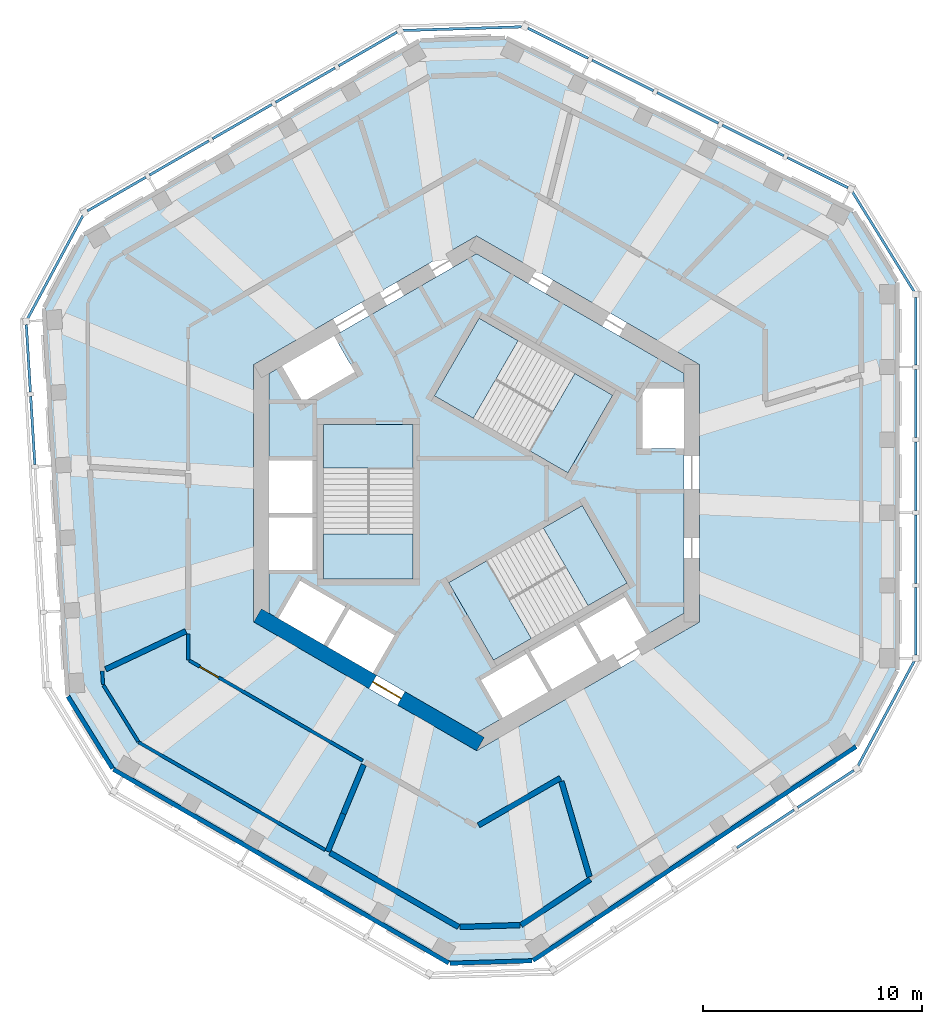
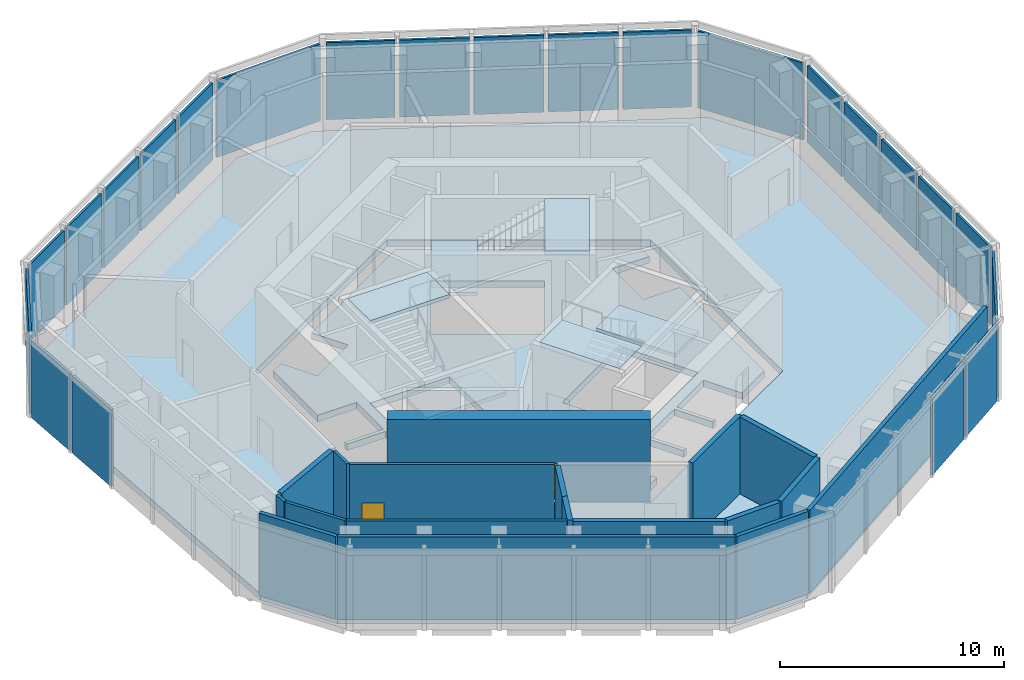
# One storey, part 3 of 9: 23 plates, 18 walls, 8 slabs, 2 doors, 2 openings, 12 elements without a shape of their own.
"""IFC4 building model written with IfcOpenShell, lengths in metres."""

import ifcopenshell
import ifcopenshell.guid

model = None  # the IFC model being written
_history = None  # IfcOwnerHistory: only IFC2X3 demands one
_inside = {}  # id of a spatial element -> (the spatial element, [elements in it])
_under = {}  # id of a project, library or spatial element -> (it, [spatial elements below it])
_declared = {}  # id of a project -> (the project, [libraries it declares])
_typed = {}  # id of a type object -> (the type object, [elements of that type])
_made_of = {}  # id of a material, layer set ... -> (it, [elements and type objects made of it])


def new_model(schema):
    """Start an empty IFC model of exactly this schema.

    Asked for "IFC4X3", IfcOpenShell would pick the latest addendum, in which some entities
    have other attributes; the version numbers below select the first issue.
    IFC2X3 requires an IfcOwnerHistory on every rooted entity: one is made here for all.
    """
    global model, _history
    if schema == "IFC4X3":
        model = ifcopenshell.file(schema_version=(4, 3, 0, 0))
    else:
        model = ifcopenshell.file(schema=schema)
    _inside.clear()
    _under.clear()
    _declared.clear()
    _typed.clear()
    _made_of.clear()
    _history = None
    if model.schema == "IFC2X3":
        org = make("IfcOrganization", Name="unknown")
        user = make(
            "IfcPersonAndOrganization",
            ThePerson=make("IfcPerson", FamilyName="unknown"),
            TheOrganization=org,
        )
        app = make(
            "IfcApplication",
            ApplicationDeveloper=org,
            Version="unknown",
            ApplicationFullName="unknown",
            ApplicationIdentifier="unknown",
        )
        _history = make(
            "IfcOwnerHistory",
            OwningUser=user,
            OwningApplication=app,
            ChangeAction="ADDED",
            CreationDate=0,
        )
    return model


def make(cls, **values):
    """One entity of the class cls with the attributes given. An attribute that is None is left unset."""
    return model.create_entity(
        cls, **{name: value for name, value in values.items() if value is not None}
    )


def rooted(cls, **values):
    """An entity with a GlobalId (a new one), such as an element, a storey or a relation."""
    return make(cls, GlobalId=ifcopenshell.guid.new(), OwnerHistory=_history, **values)


def si_unit(unit_type, name, prefix=None):
    """IfcSIUnit, for example si_unit("LENGTHUNIT", "METRE", prefix="MILLI")."""
    return make("IfcSIUnit", UnitType=unit_type, Prefix=prefix, Name=name)


def assignment(units):
    """IfcUnitAssignment: the units of a project."""
    return None if units is None else make("IfcUnitAssignment", Units=units)


def point(xyz):
    """IfcCartesianPoint."""
    return None if xyz is None else make("IfcCartesianPoint", Coordinates=xyz)


def direction(xyz):
    """IfcDirection."""
    return None if xyz is None else make("IfcDirection", DirectionRatios=xyz)


def frame(location, z_axis=None, x_axis=None):
    """IfcAxis2Placement3D, a coordinate frame: its origin and axes. An axis left out is left unset."""
    return make(
        "IfcAxis2Placement3D",
        Location=point(location),
        Axis=direction(z_axis),
        RefDirection=direction(x_axis),
    )


def frame_2d(location, x_axis=None):
    """IfcAxis2Placement2D, a coordinate frame in the plane: its origin and x axis."""
    return make(
        "IfcAxis2Placement2D", Location=point(location), RefDirection=direction(x_axis)
    )


def origin():
    """The frame at (0, 0, 0) with its axes left unset."""
    return frame((0.0, 0.0, 0.0))


def origin_2d():
    """The frame at (0, 0) in the plane with its x axis left unset."""
    return frame_2d((0.0, 0.0))


def place(relative_to, where):
    """IfcLocalPlacement: puts the frame where relative to a parent placement (None: the world)."""
    return make(
        "IfcLocalPlacement", PlacementRelTo=relative_to, RelativePlacement=where
    )


def context(
    kind, dimensions, precision=None, world=None, true_north=None, identifier=None
):
    """IfcGeometricRepresentationContext, for example the 3D "Model" context."""
    return make(
        "IfcGeometricRepresentationContext",
        ContextIdentifier=identifier,
        ContextType=kind,
        CoordinateSpaceDimension=dimensions,
        Precision=precision,
        WorldCoordinateSystem=world,
        TrueNorth=true_north,
    )


def subcontext(parent, identifier, kind, view, scale=None):
    """IfcGeometricRepresentationSubContext, for example "Body" below "Model"."""
    return make(
        "IfcGeometricRepresentationSubContext",
        ContextIdentifier=identifier,
        ContextType=kind,
        ParentContext=parent,
        TargetScale=scale,
        TargetView=view,
    )


def project(units=None, contexts=None):
    """IfcProject with its units and contexts."""
    return rooted(
        "IfcProject",
        Name="project",
        RepresentationContexts=contexts,
        UnitsInContext=assignment(units),
    )


def spatial(cls, under=None, at=None, **own):
    """A site, building, storey or space (cls), placed at a placement, below another one or the project."""
    s = rooted(cls, ObjectPlacement=at, **own)
    if under is not None:
        _under.setdefault(under.id(), (under, []))[1].append(s)
    return s


def polyline(points):
    """IfcPolyline through the points."""
    return make("IfcPolyline", Points=[point(p) for p in points])


def profile(cls, at=None, kind="AREA", **sizes):
    """A parametric profile (cls). Its sizes go by their IFC names, for example OverallWidth=200.0."""
    return make(cls, ProfileType=kind, Position=at, **sizes)


def rectangle(**sizes):
    """IfcRectangleProfileDef."""
    return profile("IfcRectangleProfileDef", **sizes)


def outline(outer, holes=None, kind="AREA"):
    """IfcArbitraryClosedProfileDef: a profile drawn as a closed curve; with holes, ...WithVoids."""
    if holes is None:
        return make("IfcArbitraryClosedProfileDef", ProfileType=kind, OuterCurve=outer)
    return make(
        "IfcArbitraryProfileDefWithVoids",
        ProfileType=kind,
        OuterCurve=outer,
        InnerCurves=holes,
    )


def extrude(swept, where, along, depth):
    """IfcExtrudedAreaSolid: the profile swept, set in the frame where, extruded along a direction by depth."""
    return make(
        "IfcExtrudedAreaSolid",
        SweptArea=swept,
        Position=where,
        ExtrudedDirection=direction(along),
        Depth=depth,
    )


def shape(context_of_items, identifier, shape_type, items):
    """IfcShapeRepresentation: the items that make up one representation, for example the "Body"."""
    return make(
        "IfcShapeRepresentation",
        ContextOfItems=context_of_items,
        RepresentationIdentifier=identifier,
        RepresentationType=shape_type,
        Items=items,
    )


def material(Name=None, Category=None):
    """IfcMaterial."""
    return make("IfcMaterial", Name=Name, Category=Category)


def layer(
    of_material, thickness, ventilated=None, Name=None, Category=None, Priority=None
):
    """IfcMaterialLayer: one layer of a wall or slab, of a material (None: an air gap)."""
    return make(
        "IfcMaterialLayer",
        Material=of_material,
        LayerThickness=thickness,
        IsVentilated=ventilated,
        Name=Name,
        Category=Category,
        Priority=Priority,
    )


def layer_set(layers, Name=None):
    """IfcMaterialLayerSet."""
    return make("IfcMaterialLayerSet", MaterialLayers=layers, LayerSetName=Name)


def made_of(thing, what):
    """Note that an element or type object is made of a material, layer set ...; save() writes the relation."""
    if what is not None:
        _made_of.setdefault(what.id(), (what, []))[1].append(thing)
    return thing


def type_object(cls, material=None, **own):
    """A type object (cls), such as IfcWallType, which elements share."""
    return made_of(rooted(cls, **own), material)


def element(
    cls,
    number,
    at=None,
    inside=None,
    cuts=None,
    type_object=None,
    material=None,
    context=None,
    identifier="Body",
    shape_type=None,
    held_by="IfcProductDefinitionShape",
    body=None,
    shapes=None,
    **own,
):
    """One element of the class cls, such as IfcWall. Its Tag is "e" and its number.

    at: its placement. inside: the storey or other place that contains it. cuts: it is an
    opening in that element (IfcRelVoidsElement). A single representation is given by context,
    identifier, shape_type and body (its items); several are given by shapes. held_by: the class
    of the entity that holds the representations. save() writes the other relations.
    """
    e = rooted(cls, Tag="e%d" % number, ObjectPlacement=at, **own)
    if body is not None:
        shapes = [shape(context, identifier, shape_type, body)]
    if shapes is not None:
        e.Representation = make(held_by, Representations=shapes)
    if inside is not None:
        _inside.setdefault(inside.id(), (inside, []))[1].append(e)
    if cuts is not None:
        rooted(
            "IfcRelVoidsElement", RelatingBuildingElement=cuts, RelatedOpeningElement=e
        )
    if type_object is not None:
        _typed.setdefault(type_object.id(), (type_object, []))[1].append(e)
    return made_of(e, material)


def fill(opening, filler):
    """IfcRelFillsElement: the door or window that sits in an opening."""
    return rooted(
        "IfcRelFillsElement",
        RelatingOpeningElement=opening,
        RelatedBuildingElement=filler,
    )


def aggregate(whole, parts):
    """IfcRelAggregates: a whole, such as a stair, and the parts it consists of."""
    return rooted("IfcRelAggregates", RelatingObject=whole, RelatedObjects=parts)


def save(model, path):
    """Write the relations noted so far, then the file.

    IfcRelAggregates (storeys below a building ...), IfcRelContainedInSpatialStructure (elements
    in a storey), IfcRelDefinesByType, IfcRelAssociatesMaterial and IfcRelDeclares: one each for
    every whole, place, type object, material and project.
    """
    for whole, parts in _under.values():
        aggregate(whole, parts)
    for where, things in _inside.values():
        rooted(
            "IfcRelContainedInSpatialStructure",
            RelatedElements=things,
            RelatingStructure=where,
        )
    for kind, things in _typed.values():
        rooted("IfcRelDefinesByType", RelatedObjects=things, RelatingType=kind)
    for what, things in _made_of.values():
        rooted("IfcRelAssociatesMaterial", RelatedObjects=things, RelatingMaterial=what)
    for by, libraries in _declared.values():
        rooted("IfcRelDeclares", RelatingContext=by, RelatedDefinitions=libraries)
    model.write(path)


model = new_model("IFC4")

# Units and contexts
model_context = context("Model", 3, precision=1e-05, world=origin(), true_north=direction((0.0, 1.0)))
body_context = subcontext(model_context, "Body", "Model", "MODEL_VIEW")
ifc_project = project(units=[si_unit("LENGTHUNIT", "METRE"), si_unit("AREAUNIT", "SQUARE_METRE"), si_unit("VOLUMEUNIT", "CUBIC_METRE"), si_unit("PLANEANGLEUNIT", "RADIAN"), si_unit("MASSUNIT", "GRAM", prefix="KILO")], contexts=[model_context])

# Site, building, storey
site_placement = place(None, origin())
site = spatial("IfcSite", under=ifc_project, at=site_placement, CompositionType="ELEMENT")
building_placement = place(site_placement, origin())
building = spatial("IfcBuilding", under=site, at=building_placement, Name="Vanh Sen Convention Tower", CompositionType="ELEMENT")
storey_placement = place(building_placement, frame((0.0, 0.0, 300.5)))
storey = spatial("IfcBuildingStorey", under=building, at=storey_placement, Name="L74", CompositionType="ELEMENT", Elevation=300.5)

# Slabs
ifc_material_1 = material(Name="Concrete C40/50", Category="concrete")
ifc_layer_1 = layer(ifc_material_1, 0.35009765625)
ifc_layer_set_1 = layer_set([ifc_layer_1], Name="Concrete C40/50")
slab_type_1 = type_object("IfcSlabType", Name="Core slab 350", PredefinedType="FLOOR", material=ifc_layer_set_1)
slab_1_placement = place(storey_placement, frame((0.0, 0.0, -0.35009765625)))
element("IfcSlab", 1, at=slab_1_placement, inside=storey, type_object=slab_type_1, Name="Core slab L74", PredefinedType="FLOOR", context=body_context, shape_type="SweptSolid", body=[
    extrude(outline(polyline([(0.0, 10.9697265625), (9.5, 5.48486328125), (9.5, 4.800048828125), (7.60009765625, 4.800048828125), (7.60009765625, 2.050048828125), (9.5, 2.050048828125), (9.5, -5.48486328125), (7.781005859375, -6.477294921875), (6.781005859375, -4.7451171875), (4.70263671875, -5.9453125), (5.70263671875, -7.67724609375), (5.529296875, -7.777099609375), (4.529296875, -6.045166015625), (2.450927734375, -7.2451171875), (3.450927734375, -8.977294921875), (3.27783203125, -9.0771484375), (2.27783203125, -7.34521484375), (0.19921875, -8.545166015625), (1.19921875, -10.277099609375), (0.0, -10.9697265625), (-4.75, -8.227294921875), (-3.75, -6.4951171875), (-5.82861328125, -5.295166015625), (-6.82861328125, -7.027099609375), (-7.001708984375, -6.92724609375), (-6.001708984375, -5.1953125), (-8.080078125, -3.9951171875), (-9.080078125, -5.727294921875), (-9.5, -5.48486328125), (-9.5, -3.5), (-7.5, -3.5), (-7.5, -1.10009765625), (-9.5, -1.10009765625), (-9.5, -0.89990234375), (-7.5, -0.89990234375), (-7.5, 1.5), (-9.5, 1.5), (-9.5, 5.48486328125), (-8.906982421875, 5.8271484375), (-7.956787109375, 4.181884765625), (-5.575439453125, 5.556884765625), (-6.525390625, 7.2021484375), (0.0, 10.9697265625)]), holes=[polyline([(-7.0, 1.1494140625), (-7.0, -3.909912109375), (-2.89990234375, -3.909912109375), (-2.89990234375, 1.1494140625), (-7.0, 1.1494140625)]), polyline([(2.504638671875, -6.63671875), (6.88623046875, -4.107177734375), (4.836181640625, -0.556396484375), (0.45458984375, -3.086181640625), (2.504638671875, -6.63671875)]), polyline([(0.11376953125, 8.01708984375), (-1.936279296875, 4.466552734375), (2.4453125, 1.936767578125), (4.495361328125, 5.487548828125), (0.11376953125, 8.01708984375)])]), origin(), (0.0, 0.0, 1.0), 0.35009765625),
])
ifc_layer_2 = layer(ifc_material_1, 0.35009765625)
ifc_layer_set_2 = layer_set([ifc_layer_2], Name="Concrete C40/50")
slab_type_2 = type_object("IfcSlabType", Name="Floor slab 350, compartment floor REI 180", PredefinedType="FLOOR", material=ifc_layer_set_2)
slab_2_placement = place(storey_placement, frame((0.0, 0.0, -0.35009765625)))
element("IfcSlab", 2, at=slab_2_placement, inside=storey, type_object=slab_type_2, Name="Floor slab L74 tower", PredefinedType="FLOOR", context=body_context, shape_type="SweptSolid", body=[
    extrude(outline(polyline([(19.199951171875, -8.0966796875), (19.199951171875, 9.66162109375), (17.21337890625, 12.871826171875), (1.32080078125, 20.79541015625), (-2.587890625, 20.676025390625), (-17.967041015625, 11.796875), (-19.75390625, 8.471435546875), (-18.669921875, -9.25390625), (-16.612060546875, -12.579345703125), (-1.23291015625, -21.45849609375), (2.54052734375, -21.34326171875), (17.34912109375, -11.541748046875), (19.199951171875, -8.0966796875)]), holes=[polyline([(0.0, 11.77783203125), (-10.199951171875, 5.888916015625), (-10.199951171875, -5.888916015625), (0.0, -11.77783203125), (10.199951171875, -5.888916015625), (10.199951171875, 5.888916015625), (0.0, 11.77783203125)])]), origin(), (0.0, 0.0, 1.0), 0.35009765625),
])

# Curtain wall, plates
ifc_material_2 = material(Name="Concrete C50/60", Category="concrete")
curtain_wall_type = type_object("IfcCurtainWallType", Name="Outer skin office zone", PredefinedType="NOTDEFINED", material=ifc_material_2)
curtain_wall_1_placement = place(storey_placement, origin())
curtain_wall_1 = element("IfcCurtainWall", 3, at=curtain_wall_1_placement, inside=storey, type_object=curtain_wall_type, Name="OUTER SKIN E L74", PredefinedType="NOTDEFINED")
ifc_layer_3 = layer(ifc_material_2, 0.1201171875)
ifc_layer_set_3 = layer_set([ifc_layer_3], Name="Concrete C50/60")
plate_type = type_object("IfcPlateType", Name="Outer skin precast screen panel 120", PredefinedType="CURTAIN_PANEL", material=ifc_layer_set_3)
plate_1_placement = place(storey_placement, frame((20.10009765625, -5.85595703125, 0.0), z_axis=(0.0, 0.0, 1.0), x_axis=(0.0, 1.0, 0.0)))
plate_1 = element("IfcPlate", 4, at=plate_1_placement, type_object=plate_type, Name="OUTER SKIN screen panel E-1", PredefinedType="CURTAIN_PANEL", context=body_context, shape_type="SweptSolid", body=[
    extrude(rectangle(XDim=3.08154296875, YDim=0.1201171875, at=origin_2d()), origin(), (0.0, 0.0, 1.0), 4.199951171875),
])
plate_2_placement = place(storey_placement, frame((20.10009765625, -2.54931640625, 0.0), z_axis=(0.0, 0.0, 1.0), x_axis=(0.0, 1.0, 0.0)))
plate_2 = element("IfcPlate", 5, at=plate_2_placement, type_object=plate_type, Name="OUTER SKIN screen panel E-2", PredefinedType="CURTAIN_PANEL", context=body_context, shape_type="SweptSolid", body=[
    extrude(rectangle(XDim=3.131591796875, YDim=0.1201171875, at=origin_2d()), origin(), (0.0, 0.0, 1.0), 4.199951171875),
])
plate_3_placement = place(storey_placement, frame((20.10009765625, 0.782470703125, 0.0), z_axis=(0.0, 0.0, 1.0), x_axis=(0.0, 1.0, 0.0)))
plate_3 = element("IfcPlate", 6, at=plate_3_placement, type_object=plate_type, Name="OUTER SKIN screen panel E-3", PredefinedType="CURTAIN_PANEL", context=body_context, shape_type="SweptSolid", body=[
    extrude(rectangle(XDim=3.131591796875, YDim=0.1201171875, at=origin_2d()), origin(), (0.0, 0.0, 1.0), 4.199951171875),
])
plate_4_placement = place(storey_placement, frame((20.10009765625, 4.114013671875, 0.0), z_axis=(0.0, 0.0, 1.0), x_axis=(0.0, 1.0, 0.0)))
plate_4 = element("IfcPlate", 7, at=plate_4_placement, type_object=plate_type, Name="OUTER SKIN screen panel E-4", PredefinedType="CURTAIN_PANEL", context=body_context, shape_type="SweptSolid", body=[
    extrude(rectangle(XDim=3.131591796875, YDim=0.1201171875, at=origin_2d()), origin(), (0.0, 0.0, 1.0), 4.199951171875),
])
plate_5_placement = place(storey_placement, frame((20.10009765625, 7.420654296875, 0.0), z_axis=(0.0, 0.0, 1.0), x_axis=(0.0, 1.0, 0.0)))
plate_5 = element("IfcPlate", 8, at=plate_5_placement, type_object=plate_type, Name="OUTER SKIN screen panel E-5", PredefinedType="CURTAIN_PANEL", context=body_context, shape_type="SweptSolid", body=[
    extrude(rectangle(XDim=3.08154296875, YDim=0.1201171875, at=origin_2d()), origin(), (0.0, 0.0, 1.0), 4.199951171875),
])
aggregate(curtain_wall_1, [plate_1, plate_2, plate_3, plate_4, plate_5])

# Curtain wall, plate
curtain_wall_2_placement = place(storey_placement, origin())
curtain_wall_2 = element("IfcCurtainWall", 9, at=curtain_wall_2_placement, inside=storey, type_object=curtain_wall_type, Name="OUTER SKIN CH1 L74", PredefinedType="NOTDEFINED")
plate_6_placement = place(storey_placement, frame((18.611328125, 11.51708984375, 0.0), z_axis=(0.0, 0.0, 1.0), x_axis=(-0.526218376078, 0.850349469734, 0.0)))
plate_6 = element("IfcPlate", 10, at=plate_6_placement, type_object=plate_type, Name="OUTER SKIN screen panel CH1-1", PredefinedType="CURTAIN_PANEL", context=body_context, shape_type="SweptSolid", body=[
    extrude(rectangle(XDim=5.35791015625, YDim=0.1201171875, at=origin_2d()), origin(), (0.0, 0.0, 1.0), 4.199951171875),
])
aggregate(curtain_wall_2, [plate_6])

# Curtain wall, plates
curtain_wall_3_placement = place(storey_placement, origin())
curtain_wall_3 = element("IfcCurtainWall", 11, at=curtain_wall_3_placement, inside=storey, type_object=curtain_wall_type, Name="OUTER SKIN NE L74", PredefinedType="NOTDEFINED")
plate_7_placement = place(storey_placement, frame((15.609619140625, 14.677001953125, 0.0), z_axis=(0.0, 0.0, 1.0), x_axis=(-0.894931246532, 0.446204060919, 0.0)))
plate_7 = element("IfcPlate", 12, at=plate_7_placement, type_object=plate_type, Name="OUTER SKIN screen panel NE-1", PredefinedType="CURTAIN_PANEL", context=body_context, shape_type="SweptSolid", body=[
    extrude(rectangle(XDim=3.081787109375, YDim=0.1201171875, at=origin_2d()), origin(), (0.0, 0.0, 1.0), 4.199951171875),
])
plate_8_placement = place(storey_placement, frame((12.650390625, 16.152587890625, 0.0), z_axis=(0.0, 0.0, 1.0), x_axis=(-0.894931246532, 0.446204060919, 0.0)))
plate_8 = element("IfcPlate", 13, at=plate_8_placement, type_object=plate_type, Name="OUTER SKIN screen panel NE-2", PredefinedType="CURTAIN_PANEL", context=body_context, shape_type="SweptSolid", body=[
    extrude(rectangle(XDim=3.131591796875, YDim=0.1201171875, at=origin_2d()), origin(), (0.0, 0.0, 1.0), 4.199951171875),
])
plate_9_placement = place(storey_placement, frame((9.668701171875, 17.63916015625, 0.0), z_axis=(0.0, 0.0, 1.0), x_axis=(-0.894931246532, 0.446204060919, 0.0)))
plate_9 = element("IfcPlate", 14, at=plate_9_placement, type_object=plate_type, Name="OUTER SKIN screen panel NE-3", PredefinedType="CURTAIN_PANEL", context=body_context, shape_type="SweptSolid", body=[
    extrude(rectangle(XDim=3.131591796875, YDim=0.1201171875, at=origin_2d()), origin(), (0.0, 0.0, 1.0), 4.199951171875),
])
plate_10_placement = place(storey_placement, frame((6.687255859375, 19.125732421875, 0.0), z_axis=(0.0, 0.0, 1.0), x_axis=(-0.89494292782, 0.446180631521, 0.0)))
plate_10 = element("IfcPlate", 15, at=plate_10_placement, type_object=plate_type, Name="OUTER SKIN screen panel NE-4", PredefinedType="CURTAIN_PANEL", context=body_context, shape_type="SweptSolid", body=[
    extrude(rectangle(XDim=3.131591796875, YDim=0.1201171875, at=origin_2d()), origin(), (0.0, 0.0, 1.0), 4.199951171875),
])
plate_11_placement = place(storey_placement, frame((3.727783203125, 20.60107421875, 0.0), z_axis=(0.0, 0.0, 1.0), x_axis=(-0.894931246532, 0.446204060919, 0.0)))
plate_11 = element("IfcPlate", 16, at=plate_11_placement, type_object=plate_type, Name="OUTER SKIN screen panel NE-5", PredefinedType="CURTAIN_PANEL", context=body_context, shape_type="SweptSolid", body=[
    extrude(rectangle(XDim=3.081787109375, YDim=0.1201171875, at=origin_2d()), origin(), (0.0, 0.0, 1.0), 4.199951171875),
])
aggregate(curtain_wall_3, [plate_7, plate_8, plate_9, plate_10, plate_11])

# Curtain wall, plate
curtain_wall_4_placement = place(storey_placement, origin())
curtain_wall_4 = element("IfcCurtainWall", 17, at=curtain_wall_4_placement, inside=storey, type_object=curtain_wall_type, Name="OUTER SKIN CH2 L74", PredefinedType="NOTDEFINED")
plate_12_placement = place(storey_placement, frame((-0.64990234375, 21.26806640625, 0.0), z_axis=(0.0, 0.0, 1.0), x_axis=(-0.99953391058, -0.030528046117, 0.0)))
plate_12 = element("IfcPlate", 18, at=plate_12_placement, type_object=plate_type, Name="OUTER SKIN screen panel CH2-1", PredefinedType="CURTAIN_PANEL", context=body_context, shape_type="SweptSolid", body=[
    extrude(rectangle(XDim=5.431640625, YDim=0.1201171875, at=origin_2d()), origin(), (0.0, 0.0, 1.0), 4.199951171875),
])
aggregate(curtain_wall_4, [plate_12])

# Curtain wall, plates
curtain_wall_5_placement = place(storey_placement, origin())
curtain_wall_5 = element("IfcCurtainWall", 19, at=curtain_wall_5_placement, inside=storey, type_object=curtain_wall_type, Name="OUTER SKIN NW L74", PredefinedType="NOTDEFINED")
plate_13_placement = place(storey_placement, frame((-4.978515625, 20.335205078125, 0.0), z_axis=(0.0, 0.0, 1.0), x_axis=(-0.866015804314, -0.500016626402, 0.0)))
plate_13 = element("IfcPlate", 20, at=plate_13_placement, type_object=plate_type, Name="OUTER SKIN screen panel NW-1", PredefinedType="CURTAIN_PANEL", context=body_context, shape_type="SweptSolid", body=[
    extrude(rectangle(XDim=3.081787109375, YDim=0.1201171875, at=origin_2d()), origin(), (0.0, 0.0, 1.0), 4.199951171875),
])
plate_14_placement = place(storey_placement, frame((-7.84228515625, 18.681640625, 0.0), z_axis=(0.0, 0.0, 1.0), x_axis=(-0.866028894422, -0.49999395399, 0.0)))
plate_14 = element("IfcPlate", 21, at=plate_14_placement, type_object=plate_type, Name="OUTER SKIN screen panel NW-2", PredefinedType="CURTAIN_PANEL", context=body_context, shape_type="SweptSolid", body=[
    extrude(rectangle(XDim=3.131591796875, YDim=0.1201171875, at=origin_2d()), origin(), (0.0, 0.0, 1.0), 4.199951171875),
])
plate_15_placement = place(storey_placement, frame((-10.7275390625, 17.015869140625, 0.0), z_axis=(0.0, 0.0, 1.0), x_axis=(-0.866028894422, -0.49999395399, 0.0)))
plate_15 = element("IfcPlate", 22, at=plate_15_placement, type_object=plate_type, Name="OUTER SKIN screen panel NW-3", PredefinedType="CURTAIN_PANEL", context=body_context, shape_type="SweptSolid", body=[
    extrude(rectangle(XDim=3.131591796875, YDim=0.1201171875, at=origin_2d()), origin(), (0.0, 0.0, 1.0), 4.199951171875),
])
plate_16_placement = place(storey_placement, frame((-13.61279296875, 15.35009765625, 0.0), z_axis=(0.0, 0.0, 1.0), x_axis=(-0.866015804314, -0.500016626402, 0.0)))
plate_16 = element("IfcPlate", 23, at=plate_16_placement, type_object=plate_type, Name="OUTER SKIN screen panel NW-4", PredefinedType="CURTAIN_PANEL", context=body_context, shape_type="SweptSolid", body=[
    extrude(rectangle(XDim=3.131591796875, YDim=0.1201171875, at=origin_2d()), origin(), (0.0, 0.0, 1.0), 4.199951171875),
])
plate_17_placement = place(storey_placement, frame((-16.4765625, 13.69677734375, 0.0), z_axis=(0.0, 0.0, 1.0), x_axis=(-0.866028894422, -0.49999395399, 0.0)))
plate_17 = element("IfcPlate", 24, at=plate_17_placement, type_object=plate_type, Name="OUTER SKIN screen panel NW-5", PredefinedType="CURTAIN_PANEL", context=body_context, shape_type="SweptSolid", body=[
    extrude(rectangle(XDim=3.08154296875, YDim=0.1201171875, at=origin_2d()), origin(), (0.0, 0.0, 1.0), 4.199951171875),
])
aggregate(curtain_wall_5, [plate_13, plate_14, plate_15, plate_16, plate_17])

# Curtain wall, plate
curtain_wall_6_placement = place(storey_placement, origin())
curtain_wall_6 = element("IfcCurtainWall", 25, at=curtain_wall_6_placement, inside=storey, type_object=curtain_wall_type, Name="OUTER SKIN CH3 L74", PredefinedType="NOTDEFINED")
plate_18_placement = place(storey_placement, frame((-19.27978515625, 10.359375, 0.0), z_axis=(0.0, 0.0, 1.0), x_axis=(-0.473324279511, -0.880888259897, 0.0)))
plate_18 = element("IfcPlate", 26, at=plate_18_placement, type_object=plate_type, Name="OUTER SKIN screen panel CH3-1", PredefinedType="CURTAIN_PANEL", context=body_context, shape_type="SweptSolid", body=[
    extrude(rectangle(XDim=5.35791015625, YDim=0.1201171875, at=origin_2d()), origin(), (0.0, 0.0, 1.0), 4.199951171875),
])
aggregate(curtain_wall_6, [plate_18])

# Curtain wall, plates
curtain_wall_7_placement = place(storey_placement, origin())
curtain_wall_7 = element("IfcCurtainWall", 27, at=curtain_wall_7_placement, inside=storey, type_object=curtain_wall_type, Name="OUTER SKIN W L74", PredefinedType="NOTDEFINED")
plate_19_placement = place(storey_placement, frame((-20.515380859375, 6.1796875, 0.0), z_axis=(0.0, 0.0, 1.0), x_axis=(0.061052023682, -0.998134585316, 0.0)))
plate_19 = element("IfcPlate", 28, at=plate_19_placement, type_object=plate_type, Name="OUTER SKIN screen panel W-1", PredefinedType="CURTAIN_PANEL", context=body_context, shape_type="SweptSolid", body=[
    extrude(rectangle(XDim=3.08154296875, YDim=0.1201171875, at=origin_2d()), origin(), (0.0, 0.0, 1.0), 4.199951171875),
])
plate_20_placement = place(storey_placement, frame((-20.313720703125, 2.87939453125, 0.0), z_axis=(0.0, 0.0, 1.0), x_axis=(0.061050281609, -0.998134691871, 0.0)))
plate_20 = element("IfcPlate", 29, at=plate_20_placement, type_object=plate_type, Name="OUTER SKIN screen panel W-2", PredefinedType="CURTAIN_PANEL", context=body_context, shape_type="SweptSolid", body=[
    extrude(rectangle(XDim=3.131591796875, YDim=0.1201171875, at=origin_2d()), origin(), (0.0, 0.0, 1.0), 4.199951171875),
])
aggregate(curtain_wall_7, [plate_19, plate_20])

curtain_wall_8_placement = place(storey_placement, origin())
curtain_wall_8 = element("IfcCurtainWall", 30, at=curtain_wall_8_placement, inside=storey, type_object=curtain_wall_type, Name="OUTER SKIN SE L74", PredefinedType="NOTDEFINED")
plate_21_placement = place(storey_placement, frame((13.2197265625, -15.35400390625, 0.0), z_axis=(0.0, 0.0, 1.0), x_axis=(0.833879078823, 0.551947173108, 0.0)))
plate_21 = element("IfcPlate", 31, at=plate_21_placement, type_object=plate_type, Name="OUTER SKIN screen panel SE-4", PredefinedType="CURTAIN_PANEL", context=body_context, shape_type="SweptSolid", body=[
    extrude(rectangle(XDim=3.131591796875, YDim=0.1201171875, at=origin_2d()), origin(), (0.0, 0.0, 1.0), 4.199951171875),
])
plate_22_placement = place(storey_placement, frame((15.97705078125, -13.529052734375, 0.0), z_axis=(0.0, 0.0, 1.0), x_axis=(0.833879078823, 0.551947173108, 0.0)))
plate_22 = element("IfcPlate", 32, at=plate_22_placement, type_object=plate_type, Name="OUTER SKIN screen panel SE-5", PredefinedType="CURTAIN_PANEL", context=body_context, shape_type="SweptSolid", body=[
    extrude(rectangle(XDim=3.081787109375, YDim=0.1201171875, at=origin_2d()), origin(), (0.0, 0.0, 1.0), 4.199951171875),
])
aggregate(curtain_wall_8, [plate_21, plate_22])

# Curtain wall, plate
curtain_wall_9_placement = place(storey_placement, origin())
curtain_wall_9 = element("IfcCurtainWall", 33, at=curtain_wall_9_placement, inside=storey, type_object=curtain_wall_type, Name="OUTER SKIN CH6 L74", PredefinedType="NOTDEFINED")
plate_23_placement = place(storey_placement, frame((18.743408203125, -10.0712890625, 0.0), z_axis=(0.0, 0.0, 1.0), x_axis=(0.473324279511, 0.880888259897, 0.0)))
plate_23 = element("IfcPlate", 34, at=plate_23_placement, type_object=plate_type, Name="OUTER SKIN screen panel CH6-1", PredefinedType="CURTAIN_PANEL", context=body_context, shape_type="SweptSolid", body=[
    extrude(rectangle(XDim=5.431884765625, YDim=0.1201171875, at=origin_2d()), origin(), (0.0, 0.0, 1.0), 4.199951171875),
])
aggregate(curtain_wall_9, [plate_23])

# Stair, slabs
ifc_material_3 = material(Name="Concrete C50/60", Category="concrete")
stair_type_1 = type_object("IfcStairType", Name="Exit stair ST1 26 risers at 173.1", PredefinedType="HALF_TURN_STAIR", material=ifc_material_3)
stair_1_placement = place(storey_placement, origin())
stair_1 = element("IfcStair", 35, at=stair_1_placement, inside=storey, type_object=stair_type_1, Name="Exit stair ST1 L74", PredefinedType="HALF_TURN_STAIR")
ifc_layer_4 = layer(ifc_material_1, 0.199951171875)
ifc_layer_set_4 = layer_set([ifc_layer_4], Name="Concrete C40/50")
slab_type_3 = type_object("IfcSlabType", Name="Stair landing 200", PredefinedType="LANDING", material=ifc_layer_set_4)
slab_3_placement = place(storey_placement, frame((0.0, 0.0, 2.050048828125)))
slab_3 = element("IfcSlab", 36, at=slab_3_placement, type_object=slab_type_3, Name="ST1 landing 1", PredefinedType="LANDING", context=body_context, shape_type="SweptSolid", body=[
    extrude(outline(polyline([(1.8984375, 6.98681640625), (0.11376953125, 8.01708984375), (-1.936279296875, 4.466552734375), (-0.151611328125, 3.43603515625), (1.8984375, 6.98681640625)])), origin(), (0.0, 0.0, 1.0), 0.199951171875),
])
slab_4_placement = place(storey_placement, frame((0.0, 0.0, 4.300048828125)))
slab_4 = element("IfcSlab", 37, at=slab_4_placement, type_object=slab_type_3, Name="ST1 landing 2", PredefinedType="LANDING", context=body_context, shape_type="SweptSolid", body=[
    extrude(outline(polyline([(6.22802734375, 4.4873046875), (4.495361328125, 5.487548828125), (2.4453125, 1.936767578125), (4.177978515625, 0.9365234375), (6.22802734375, 4.4873046875)])), origin(), (0.0, 0.0, 1.0), 0.199951171875),
])
aggregate(stair_1, [slab_3, slab_4])

stair_type_2 = type_object("IfcStairType", Name="Exit stair ST2 26 risers at 173.1", PredefinedType="HALF_TURN_STAIR", material=ifc_material_3)
stair_2_placement = place(storey_placement, origin())
stair_2 = element("IfcStair", 38, at=stair_2_placement, inside=storey, type_object=stair_type_2, Name="Exit stair ST2 L74", PredefinedType="HALF_TURN_STAIR")
slab_5_placement = place(storey_placement, frame((0.0, 0.0, 2.050048828125)))
slab_5 = element("IfcSlab", 39, at=slab_5_placement, type_object=slab_type_3, Name="ST2 landing 1", PredefinedType="LANDING", context=body_context, shape_type="SweptSolid", body=[
    extrude(outline(polyline([(-7.0, -1.849365234375), (-7.0, -3.909912109375), (-2.89990234375, -3.909912109375), (-2.89990234375, -1.849365234375), (-7.0, -1.849365234375)])), origin(), (0.0, 0.0, 1.0), 0.199951171875),
])
slab_6_placement = place(storey_placement, frame((0.0, 0.0, 4.300048828125)))
slab_6 = element("IfcSlab", 40, at=slab_6_placement, type_object=slab_type_3, Name="ST2 landing 2", PredefinedType="LANDING", context=body_context, shape_type="SweptSolid", body=[
    extrude(outline(polyline([(-7.0, 3.14990234375), (-7.0, 1.1494140625), (-2.89990234375, 1.1494140625), (-2.89990234375, 3.14990234375), (-7.0, 3.14990234375)])), origin(), (0.0, 0.0, 1.0), 0.199951171875),
])
aggregate(stair_2, [slab_5, slab_6])

stair_type_3 = type_object("IfcStairType", Name="Exit stair ST3 26 risers at 173.1", PredefinedType="HALF_TURN_STAIR", material=ifc_material_3)
stair_3_placement = place(storey_placement, origin())
stair_3 = element("IfcStair", 41, at=stair_3_placement, inside=storey, type_object=stair_type_3, Name="Exit stair ST3 L74", PredefinedType="HALF_TURN_STAIR")
slab_7_placement = place(storey_placement, frame((0.0, 0.0, 2.050048828125)))
slab_7 = element("IfcSlab", 42, at=slab_7_placement, type_object=slab_type_3, Name="ST3 landing 1", PredefinedType="LANDING", context=body_context, shape_type="SweptSolid", body=[
    extrude(outline(polyline([(5.1015625, -5.137451171875), (6.88623046875, -4.107177734375), (4.836181640625, -0.556396484375), (3.051513671875, -1.5869140625), (5.1015625, -5.137451171875)])), origin(), (0.0, 0.0, 1.0), 0.199951171875),
])
slab_8_placement = place(storey_placement, frame((0.0, 0.0, 4.300048828125)))
slab_8 = element("IfcSlab", 43, at=slab_8_placement, type_object=slab_type_3, Name="ST3 landing 2", PredefinedType="LANDING", context=body_context, shape_type="SweptSolid", body=[
    extrude(outline(polyline([(0.77197265625, -7.63720703125), (2.504638671875, -6.63671875), (0.45458984375, -3.086181640625), (-1.278076171875, -4.08642578125), (0.77197265625, -7.63720703125)])), origin(), (0.0, 0.0, 1.0), 0.199951171875),
])
aggregate(stair_3, [slab_7, slab_8])

# Walls
ifc_layer_5 = layer(ifc_material_1, 0.25)
ifc_layer_set_5 = layer_set([ifc_layer_5], Name="Concrete C40/50")
wall_type_1 = type_object("IfcWallType", Name="Concrete wall 250 EI 180", PredefinedType="SOLIDWALL", material=ifc_layer_set_5)
wall_1_placement = place(storey_placement, frame((-0.826904296875, -19.845458984375, 0.0), z_axis=(0.0, 0.0, 1.0), x_axis=(-0.866014453193, 0.500018966502, 0.0)))
element("IfcWall", 44, at=wall_1_placement, inside=storey, type_object=wall_type_1, Name="Fire-resisting wall L74-001", PredefinedType="SOLIDWALL", context=body_context, shape_type="SweptSolid", body=[
    extrude(rectangle(XDim=6.794677734375, YDim=0.25, at=frame_2d((3.3974609375, 0.0))), origin(), (0.0, 0.0, 1.0), 4.199951171875),
])
wall_2_placement = place(storey_placement, frame((1.97705078125, -19.759765625, 0.0), z_axis=(0.0, 0.0, 1.0), x_axis=(-0.999531996278, -0.030590658961, 0.0)))
element("IfcWall", 45, at=wall_2_placement, inside=storey, type_object=wall_type_1, Name="Fire-resisting wall L74-002", PredefinedType="SOLIDWALL", context=body_context, shape_type="SweptSolid", body=[
    extrude(rectangle(XDim=2.745361328125, YDim=0.25, at=frame_2d((1.37255859375, 0.0))), origin(), (0.0, 0.0, 1.0), 4.199951171875),
])
wall_3_placement = place(storey_placement, frame((5.201904296875, -17.6630859375, 0.0), z_axis=(0.0, 0.0, 1.0), x_axis=(-0.833856881781, -0.551980706824, 0.0)))
element("IfcWall", 46, at=wall_3_placement, inside=storey, type_object=wall_type_1, Name="Fire-resisting wall L74-003", PredefinedType="SOLIDWALL", context=body_context, shape_type="SweptSolid", body=[
    extrude(rectangle(XDim=3.79541015625, YDim=0.25, at=frame_2d((1.897705078125, 0.0))), origin(), (0.0, 0.0, 1.0), 4.199951171875),
])
wall_4_placement = place(storey_placement, frame((0.086669921875, -15.19189453125, 0.0), z_axis=(0.0, 0.0, 1.0), x_axis=(0.866038167814, 0.4999778914, 0.0)))
element("IfcWall", 47, at=wall_4_placement, inside=storey, type_object=wall_type_1, Name="Fire-resisting wall L74-006", PredefinedType="SOLIDWALL", context=body_context, shape_type="SweptSolid", body=[
    extrude(rectangle(XDim=4.329833984375, YDim=0.25, at=frame_2d((2.1650390625, 0.0))), origin(), (0.0, 0.0, 1.0), 4.199951171875),
])
wall_5_placement = place(storey_placement, frame((-6.096923828125, -14.66162109375, 0.0), z_axis=(0.0, 0.0, 1.0), x_axis=(-0.384031181584, -0.923320124102, 0.0)))
element("IfcWall", 48, at=wall_5_placement, inside=storey, type_object=wall_type_1, Name="Fire-resisting wall L74-007", PredefinedType="SOLIDWALL", context=body_context, shape_type="SweptSolid", body=[
    extrude(rectangle(XDim=1.86962890625, YDim=0.25, at=frame_2d((0.934814453125, 0.0))), origin(), (0.0, 0.0, 1.0), 4.199951171875),
])
wall_6_placement = place(storey_placement, frame((-6.096923828125, -14.66162109375, 0.0), z_axis=(0.0, 0.0, 1.0), x_axis=(0.38380822766, 0.923412824462, 0.0)))
element("IfcWall", 49, at=wall_6_placement, inside=storey, type_object=wall_type_1, Name="Fire-resisting wall L74-008", PredefinedType="SOLIDWALL", context=body_context, shape_type="SweptSolid", body=[
    extrude(rectangle(XDim=2.42724609375, YDim=0.25, at=frame_2d((1.213623046875, 0.0))), origin(), (0.0, 0.0, 1.0), 4.199951171875),
])
wall_7_placement = place(storey_placement, frame((3.881591796875, -13.180419921875, 0.0), z_axis=(0.0, 0.0, 1.0), x_axis=(0.282587245572, -0.959241600766, 0.0)))
element("IfcWall", 50, at=wall_7_placement, inside=storey, type_object=wall_type_1, Name="Fire-resisting wall L74-009", PredefinedType="SOLIDWALL", context=body_context, shape_type="SweptSolid", body=[
    extrude(rectangle(XDim=4.552978515625, YDim=0.25, at=frame_2d((2.2763671875, 0.0))), origin(), (0.0, 0.0, 1.0), 4.199951171875),
])
wall_8_placement = place(storey_placement, frame((-13.308349609375, -6.3115234375, 0.0), z_axis=(0.0, 0.0, 1.0), x_axis=(-0.903573543336, -0.428433019016, 0.0)))
element("IfcWall", 51, at=wall_8_placement, inside=storey, type_object=wall_type_1, Name="Fire-resisting wall L74-018", PredefinedType="SOLIDWALL", context=body_context, shape_type="SweptSolid", body=[
    extrude(rectangle(XDim=4.05615234375, YDim=0.25, at=frame_2d((2.028076171875, 0.0))), origin(), (0.0, 0.0, 1.0), 4.199951171875),
])

# Wall, opening, door
ifc_material_4 = material(Name="Concrete C60/75", Category="concrete")
ifc_layer_6 = layer(ifc_material_4, 0.699951171875)
ifc_layer_set_6 = layer_set([ifc_layer_6], Name="Concrete C60/75")
wall_type_2 = type_object("IfcWallType", Name="Core outer wall 700 C60/75", PredefinedType="SHEAR", material=ifc_layer_set_6)
wall_9_placement = place(storey_placement, frame((-10.02490234375, -5.5859375, 0.0), z_axis=(0.0, 0.0, 1.0), x_axis=(0.866026453023, -0.499998182661, 0.0)))
wall_9 = element("IfcWall", 52, at=wall_9_placement, inside=storey, type_object=wall_type_2, Name="Core wall face SW L74", PredefinedType="SHEAR", context=body_context, shape_type="SweptSolid", body=[
    extrude(rectangle(XDim=11.77783203125, YDim=0.699951171875, at=frame_2d((5.888916015625, 0.0))), origin(), (0.0, 0.0, 1.0), 4.5),
])
opening_1_placement = place(wall_9_placement, frame((6.089111328125, 0.0, 0.0)))
opening_1 = element("IfcOpeningElement", 53, at=opening_1_placement, cuts=wall_9, Name="Opening D74003", PredefinedType="OPENING", context=body_context, shape_type="SweptSolid", body=[
    extrude(rectangle(XDim=1.5, YDim=2.10009765625, at=frame_2d((0.75, 1.050048828125))), frame((0.0, 0.35986328125, 0.0), z_axis=(0.0, -1.0, 0.0), x_axis=(1.0, 0.0, 0.0)), (0.0, 0.0, 1.0), 0.719970703125),
])
ifc_material_5 = material(Name="Steel S355", Category="steel")
door_type_1 = type_object("IfcDoorType", Name="Stair lobby door 1500", OperationType="DOUBLE_DOOR_SINGLE_SWING", PredefinedType="DOOR", material=ifc_material_5)
door_1_placement = place(opening_1_placement, origin())
door_1 = element("IfcDoor", 54, at=door_1_placement, inside=storey, type_object=door_type_1, Name="Stair lobby door D74003", OperationType="DOUBLE_DOOR_SINGLE_SWING", OverallHeight=2.10009765625, OverallWidth=1.5, PredefinedType="DOOR", context=body_context, shape_type="SweptSolid", body=[
    extrude(rectangle(XDim=1.5, YDim=2.10009765625, at=frame_2d((0.75, 1.050048828125))), frame((0.0, 0.02490234375, 0.0), z_axis=(0.0, -1.0, 0.0), x_axis=(1.0, 0.0, 0.0)), (0.0, 0.0, 1.0), 0.050048828125),
])
fill(opening_1, door_1)

# Walls
ifc_material_6 = material(Name="Insulated lightweight infill wall")
ifc_layer_7 = layer(ifc_material_6, 0.199951171875)
ifc_layer_set_7 = layer_set([ifc_layer_7], Name="Insulated lightweight infill wall")
wall_type_3 = type_object("IfcWallType", Name="External wall 200", PredefinedType="STANDARD", material=ifc_layer_set_7)
wall_10_placement = place(storey_placement, frame((-18.705810546875, -9.290771484375, 0.0), z_axis=(0.0, 0.0, 1.0), x_axis=(0.526209683648, -0.850354848775, 0.0)))
element("IfcWall", 55, at=wall_10_placement, inside=storey, type_object=wall_type_3, Name="External wall CH4 L74", PredefinedType="STANDARD", context=body_context, shape_type="SweptSolid", body=[
    extrude(rectangle(XDim=3.8857421875, YDim=0.199951171875, at=frame_2d((1.94287109375, 0.0))), origin(), (0.0, 0.0, 1.0), 4.5),
])
wall_11_placement = place(storey_placement, frame((-16.626220703125, -12.62890625, 0.0), z_axis=(0.0, 0.0, 1.0), x_axis=(0.866026460444, -0.499998169808, 0.0)))
element("IfcWall", 56, at=wall_11_placement, inside=storey, type_object=wall_type_3, Name="External wall SW L74", PredefinedType="STANDARD", context=body_context, shape_type="SweptSolid", body=[
    extrude(rectangle(XDim=17.7314453125, YDim=0.199951171875, at=frame_2d((8.86572265625, 0.0))), origin(), (0.0, 0.0, 1.0), 4.5),
])
wall_12_placement = place(storey_placement, frame((-1.21728515625, -21.508056640625, 0.0), z_axis=(0.0, 0.0, 1.0), x_axis=(0.99953295295, 0.030559384285, 0.0)))
element("IfcWall", 57, at=wall_12_placement, inside=storey, type_object=wall_type_3, Name="External wall CH5 L74", PredefinedType="STANDARD", context=body_context, shape_type="SweptSolid", body=[
    extrude(rectangle(XDim=3.746826171875, YDim=0.199951171875, at=frame_2d((1.87353515625, 0.0))), origin(), (0.0, 0.0, 1.0), 4.5),
])
wall_13_placement = place(storey_placement, frame((2.580078125, -21.376953125, 0.0), z_axis=(0.0, 0.0, 1.0), x_axis=(0.833888592176, 0.551932800112, 0.0)))
element("IfcWall", 58, at=wall_13_placement, inside=storey, type_object=wall_type_3, Name="External wall SE L74", PredefinedType="STANDARD", context=body_context, shape_type="SweptSolid", body=[
    extrude(rectangle(XDim=17.7314453125, YDim=0.199951171875, at=frame_2d((8.86572265625, 0.0))), origin(), (0.0, 0.0, 1.0), 4.5),
])
ifc_material_7 = material(Name="Gypsum board on steel studs", Category="steel")
ifc_layer_8 = layer(ifc_material_7, 0.14990234375)
ifc_layer_set_8 = layer_set([ifc_layer_8], Name="Gypsum board on steel studs")
wall_type_4 = type_object("IfcWallType", Name="Partition 150", PredefinedType="PARTITIONING", material=ifc_layer_set_8)
wall_14_placement = place(storey_placement, frame((-6.936279296875, -16.318115234375, 0.0), z_axis=(0.0, 0.0, 1.0), x_axis=(-0.866026615439, 0.499997901347, 0.0)))
element("IfcWall", 59, at=wall_14_placement, inside=storey, type_object=wall_type_4, Name="Partition L74-004", PredefinedType="PARTITIONING", context=body_context, shape_type="SweptSolid", body=[
    extrude(rectangle(XDim=9.84619140625, YDim=0.14990234375, at=frame_2d((4.923095703125, 0.0))), origin(), (0.0, 0.0, 1.0), 4.199951171875),
])
wall_15_placement = place(storey_placement, frame((-15.484619140625, -11.361083984375, 0.0), z_axis=(0.0, 0.0, 1.0), x_axis=(-0.526112913706, 0.850414723551, 0.0)))
element("IfcWall", 60, at=wall_15_placement, inside=storey, type_object=wall_type_4, Name="Partition L74-010", PredefinedType="PARTITIONING", context=body_context, shape_type="SweptSolid", body=[
    extrude(rectangle(XDim=3.025634765625, YDim=0.14990234375, at=frame_2d((1.5126953125, 0.0))), origin(), (0.0, 0.0, 1.0), 4.199951171875),
])
wall_16_placement = place(storey_placement, frame((-17.097412109375, -8.75390625, 0.0), z_axis=(0.0, 0.0, 1.0), x_axis=(-0.061362744718, 0.998115531169, 0.0)))
element("IfcWall", 61, at=wall_16_placement, inside=storey, type_object=wall_type_4, Name="Partition L74-012", PredefinedType="PARTITIONING", context=body_context, shape_type="SweptSolid", body=[
    extrude(rectangle(XDim=0.628662109375, YDim=0.14990234375, at=frame_2d((0.314453125, 0.0))), origin(), (0.0, 0.0, 1.0), 4.199951171875),
])

# Wall, opening, door
wall_17_placement = place(storey_placement, frame((-13.14794921875, -7.65087890625, 0.0), z_axis=(0.0, 0.0, 1.0), x_axis=(0.866016920268, -0.500014693593, 0.0)))
wall_17 = element("IfcWall", 62, at=wall_17_placement, inside=storey, type_object=wall_type_4, Name="Partition L74-015", PredefinedType="PARTITIONING", context=body_context, shape_type="SweptSolid", body=[
    extrude(rectangle(XDim=9.159912109375, YDim=0.14990234375, at=frame_2d((4.580078125, 0.0))), origin(), (0.0, 0.0, 1.0), 4.199951171875),
])
opening_2_placement = place(wall_17_placement, frame((0.550048828125, 0.0, 0.0)))
opening_2 = element("IfcOpeningElement", 63, at=opening_2_placement, cuts=wall_17, Name="Opening D74102", PredefinedType="OPENING", context=body_context, shape_type="SweptSolid", body=[
    extrude(rectangle(XDim=1.0, YDim=2.10009765625, at=frame_2d((0.5, 1.050048828125))), frame((0.0, 0.0849609375, 0.0), z_axis=(0.0, -1.0, 0.0), x_axis=(1.0, 0.0, 0.0)), (0.0, 0.0, 1.0), 0.169921875),
])
ifc_material_8 = material(Name="Timber door in steel frame", Category="steel")
door_type_2 = type_object("IfcDoorType", Name="Room door 1000", OperationType="SINGLE_SWING_LEFT", PredefinedType="DOOR", material=ifc_material_8)
door_2_placement = place(opening_2_placement, origin())
door_2 = element("IfcDoor", 64, at=door_2_placement, inside=storey, type_object=door_type_2, Name="Room door D74102", OperationType="SINGLE_SWING_LEFT", OverallHeight=2.10009765625, OverallWidth=1.0, PredefinedType="DOOR", context=body_context, shape_type="SweptSolid", body=[
    extrude(rectangle(XDim=1.0, YDim=2.10009765625, at=frame_2d((0.5, 1.050048828125))), frame((0.0, 0.02490234375, 0.0), z_axis=(0.0, -1.0, 0.0), x_axis=(1.0, 0.0, 0.0)), (0.0, 0.0, 1.0), 0.050048828125),
])
fill(opening_2, door_2)

# Wall
wall_18_placement = place(storey_placement, frame((-13.199951171875, -7.62109375, 0.0), z_axis=(0.0, 0.0, 1.0), x_axis=(0.0, 1.0, 0.0)))
element("IfcWall", 65, at=wall_18_placement, inside=storey, type_object=wall_type_4, Name="Partition L74-016", PredefinedType="PARTITIONING", context=body_context, shape_type="SweptSolid", body=[
    extrude(rectangle(XDim=1.18115234375, YDim=0.14990234375, at=frame_2d((0.590576171875, 0.0))), origin(), (0.0, 0.0, 1.0), 4.199951171875),
])

save(model, "model.ifc")
